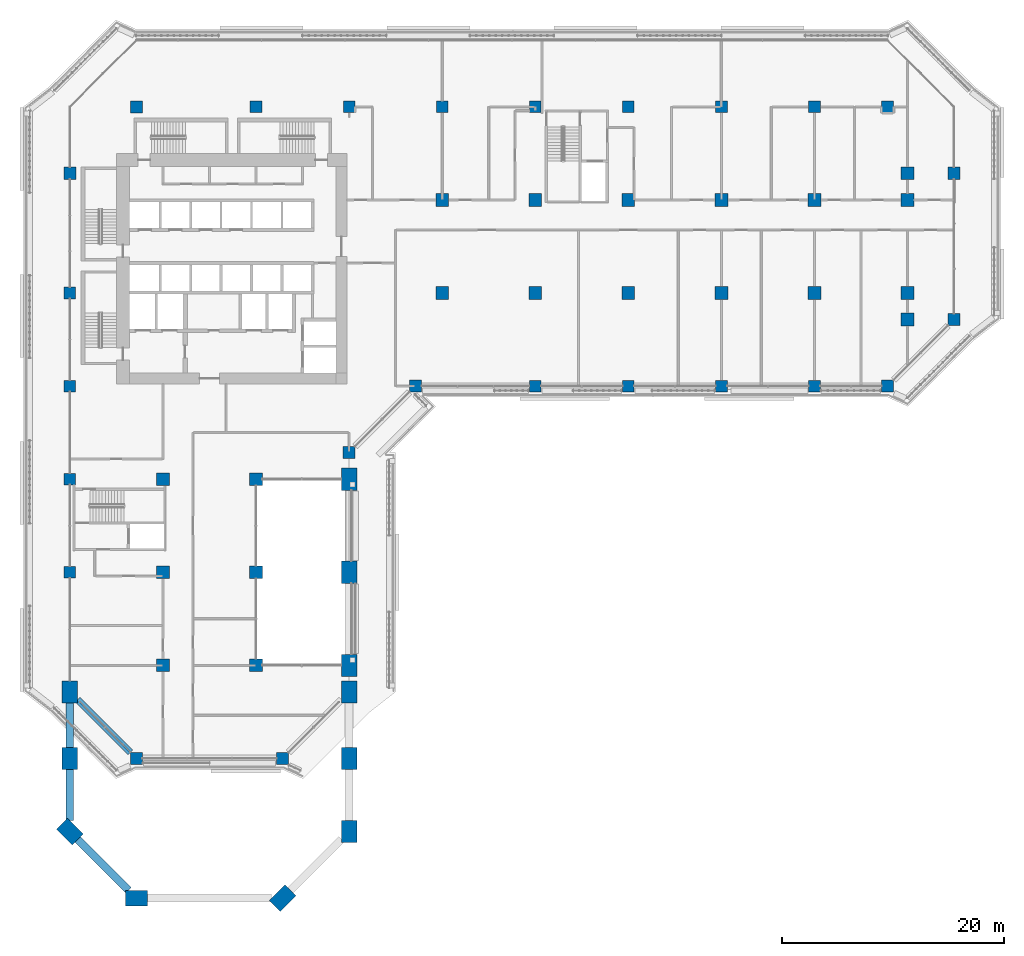
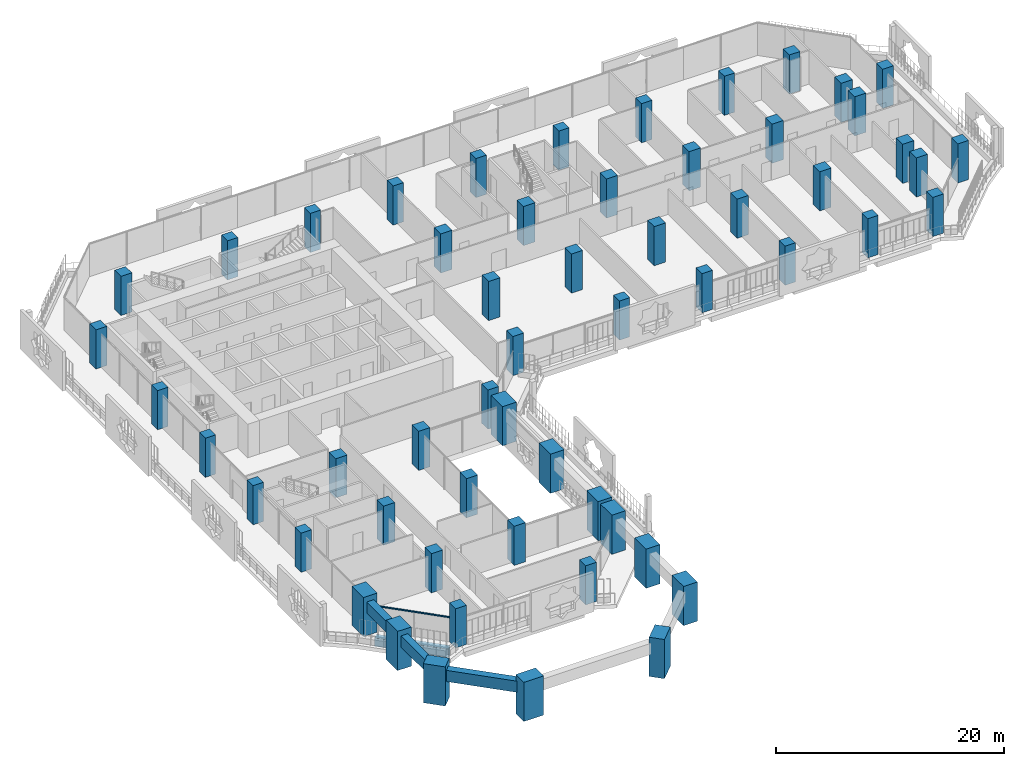
# One storey, part 1 of 27: 56 columns, 4 beams, 1 member, 1 element without a shape of its own.
"""IFC4 building model written with IfcOpenShell, lengths in metres."""

import ifcopenshell
import ifcopenshell.guid

model = None  # the IFC model being written
_history = None  # IfcOwnerHistory: only IFC2X3 demands one
_inside = {}  # id of a spatial element -> (the spatial element, [elements in it])
_under = {}  # id of a project, library or spatial element -> (it, [spatial elements below it])
_declared = {}  # id of a project -> (the project, [libraries it declares])
_typed = {}  # id of a type object -> (the type object, [elements of that type])
_made_of = {}  # id of a material, layer set ... -> (it, [elements and type objects made of it])


def new_model(schema):
    """Start an empty IFC model of exactly this schema.

    Asked for "IFC4X3", IfcOpenShell would pick the latest addendum, in which some entities
    have other attributes; the version numbers below select the first issue.
    IFC2X3 requires an IfcOwnerHistory on every rooted entity: one is made here for all.
    """
    global model, _history
    if schema == "IFC4X3":
        model = ifcopenshell.file(schema_version=(4, 3, 0, 0))
    else:
        model = ifcopenshell.file(schema=schema)
    _inside.clear()
    _under.clear()
    _declared.clear()
    _typed.clear()
    _made_of.clear()
    _history = None
    if model.schema == "IFC2X3":
        org = make("IfcOrganization", Name="unknown")
        user = make(
            "IfcPersonAndOrganization",
            ThePerson=make("IfcPerson", FamilyName="unknown"),
            TheOrganization=org,
        )
        app = make(
            "IfcApplication",
            ApplicationDeveloper=org,
            Version="unknown",
            ApplicationFullName="unknown",
            ApplicationIdentifier="unknown",
        )
        _history = make(
            "IfcOwnerHistory",
            OwningUser=user,
            OwningApplication=app,
            ChangeAction="ADDED",
            CreationDate=0,
        )
    return model


def make(cls, **values):
    """One entity of the class cls with the attributes given. An attribute that is None is left unset."""
    return model.create_entity(
        cls, **{name: value for name, value in values.items() if value is not None}
    )


def rooted(cls, **values):
    """An entity with a GlobalId (a new one), such as an element, a storey or a relation."""
    return make(cls, GlobalId=ifcopenshell.guid.new(), OwnerHistory=_history, **values)


def si_unit(unit_type, name, prefix=None):
    """IfcSIUnit, for example si_unit("LENGTHUNIT", "METRE", prefix="MILLI")."""
    return make("IfcSIUnit", UnitType=unit_type, Prefix=prefix, Name=name)


def assignment(units):
    """IfcUnitAssignment: the units of a project."""
    return None if units is None else make("IfcUnitAssignment", Units=units)


def point(xyz):
    """IfcCartesianPoint."""
    return None if xyz is None else make("IfcCartesianPoint", Coordinates=xyz)


def direction(xyz):
    """IfcDirection."""
    return None if xyz is None else make("IfcDirection", DirectionRatios=xyz)


def frame(location, z_axis=None, x_axis=None):
    """IfcAxis2Placement3D, a coordinate frame: its origin and axes. An axis left out is left unset."""
    return make(
        "IfcAxis2Placement3D",
        Location=point(location),
        Axis=direction(z_axis),
        RefDirection=direction(x_axis),
    )


def frame_2d(location, x_axis=None):
    """IfcAxis2Placement2D, a coordinate frame in the plane: its origin and x axis."""
    return make(
        "IfcAxis2Placement2D", Location=point(location), RefDirection=direction(x_axis)
    )


def origin():
    """The frame at (0, 0, 0) with its axes left unset."""
    return frame((0.0, 0.0, 0.0))


def origin_2d():
    """The frame at (0, 0) in the plane with its x axis left unset."""
    return frame_2d((0.0, 0.0))


def place(relative_to, where):
    """IfcLocalPlacement: puts the frame where relative to a parent placement (None: the world)."""
    return make(
        "IfcLocalPlacement", PlacementRelTo=relative_to, RelativePlacement=where
    )


def context(
    kind, dimensions, precision=None, world=None, true_north=None, identifier=None
):
    """IfcGeometricRepresentationContext, for example the 3D "Model" context."""
    return make(
        "IfcGeometricRepresentationContext",
        ContextIdentifier=identifier,
        ContextType=kind,
        CoordinateSpaceDimension=dimensions,
        Precision=precision,
        WorldCoordinateSystem=world,
        TrueNorth=true_north,
    )


def subcontext(parent, identifier, kind, view, scale=None):
    """IfcGeometricRepresentationSubContext, for example "Body" below "Model"."""
    return make(
        "IfcGeometricRepresentationSubContext",
        ContextIdentifier=identifier,
        ContextType=kind,
        ParentContext=parent,
        TargetScale=scale,
        TargetView=view,
    )


def project(units=None, contexts=None):
    """IfcProject with its units and contexts."""
    return rooted(
        "IfcProject",
        Name="project",
        RepresentationContexts=contexts,
        UnitsInContext=assignment(units),
    )


def spatial(cls, under=None, at=None, **own):
    """A site, building, storey or space (cls), placed at a placement, below another one or the project."""
    s = rooted(cls, ObjectPlacement=at, **own)
    if under is not None:
        _under.setdefault(under.id(), (under, []))[1].append(s)
    return s


def profile(cls, at=None, kind="AREA", **sizes):
    """A parametric profile (cls). Its sizes go by their IFC names, for example OverallWidth=200.0."""
    return make(cls, ProfileType=kind, Position=at, **sizes)


def rectangle(**sizes):
    """IfcRectangleProfileDef."""
    return profile("IfcRectangleProfileDef", **sizes)


def extrude(swept, where, along, depth):
    """IfcExtrudedAreaSolid: the profile swept, set in the frame where, extruded along a direction by depth."""
    return make(
        "IfcExtrudedAreaSolid",
        SweptArea=swept,
        Position=where,
        ExtrudedDirection=direction(along),
        Depth=depth,
    )


def shape(context_of_items, identifier, shape_type, items):
    """IfcShapeRepresentation: the items that make up one representation, for example the "Body"."""
    return make(
        "IfcShapeRepresentation",
        ContextOfItems=context_of_items,
        RepresentationIdentifier=identifier,
        RepresentationType=shape_type,
        Items=items,
    )


def material(Name=None, Category=None):
    """IfcMaterial."""
    return make("IfcMaterial", Name=Name, Category=Category)


def layer(
    of_material, thickness, ventilated=None, Name=None, Category=None, Priority=None
):
    """IfcMaterialLayer: one layer of a wall or slab, of a material (None: an air gap)."""
    return make(
        "IfcMaterialLayer",
        Material=of_material,
        LayerThickness=thickness,
        IsVentilated=ventilated,
        Name=Name,
        Category=Category,
        Priority=Priority,
    )


def layer_set(layers, Name=None):
    """IfcMaterialLayerSet."""
    return make("IfcMaterialLayerSet", MaterialLayers=layers, LayerSetName=Name)


def material_profile(
    of_material, cross_section, Name=None, Category=None, Priority=None
):
    """IfcMaterialProfile: a cross section and its material."""
    return make(
        "IfcMaterialProfile",
        Name=Name,
        Material=of_material,
        Profile=cross_section,
        Priority=Priority,
        Category=Category,
    )


def profile_set(profiles, Name=None, composite=None):
    """IfcMaterialProfileSet."""
    return make(
        "IfcMaterialProfileSet",
        Name=Name,
        MaterialProfiles=profiles,
        CompositeProfile=composite,
    )


def made_of(thing, what):
    """Note that an element or type object is made of a material, layer set ...; save() writes the relation."""
    if what is not None:
        _made_of.setdefault(what.id(), (what, []))[1].append(thing)
    return thing


def type_object(cls, material=None, **own):
    """A type object (cls), such as IfcWallType, which elements share."""
    return made_of(rooted(cls, **own), material)


def element(
    cls,
    number,
    at=None,
    inside=None,
    cuts=None,
    type_object=None,
    material=None,
    context=None,
    identifier="Body",
    shape_type=None,
    held_by="IfcProductDefinitionShape",
    body=None,
    shapes=None,
    **own,
):
    """One element of the class cls, such as IfcWall. Its Tag is "e" and its number.

    at: its placement. inside: the storey or other place that contains it. cuts: it is an
    opening in that element (IfcRelVoidsElement). A single representation is given by context,
    identifier, shape_type and body (its items); several are given by shapes. held_by: the class
    of the entity that holds the representations. save() writes the other relations.
    """
    e = rooted(cls, Tag="e%d" % number, ObjectPlacement=at, **own)
    if body is not None:
        shapes = [shape(context, identifier, shape_type, body)]
    if shapes is not None:
        e.Representation = make(held_by, Representations=shapes)
    if inside is not None:
        _inside.setdefault(inside.id(), (inside, []))[1].append(e)
    if cuts is not None:
        rooted(
            "IfcRelVoidsElement", RelatingBuildingElement=cuts, RelatedOpeningElement=e
        )
    if type_object is not None:
        _typed.setdefault(type_object.id(), (type_object, []))[1].append(e)
    return made_of(e, material)


def aggregate(whole, parts):
    """IfcRelAggregates: a whole, such as a stair, and the parts it consists of."""
    return rooted("IfcRelAggregates", RelatingObject=whole, RelatedObjects=parts)


def save(model, path):
    """Write the relations noted so far, then the file.

    IfcRelAggregates (storeys below a building ...), IfcRelContainedInSpatialStructure (elements
    in a storey), IfcRelDefinesByType, IfcRelAssociatesMaterial and IfcRelDeclares: one each for
    every whole, place, type object, material and project.
    """
    for whole, parts in _under.values():
        aggregate(whole, parts)
    for where, things in _inside.values():
        rooted(
            "IfcRelContainedInSpatialStructure",
            RelatedElements=things,
            RelatingStructure=where,
        )
    for kind, things in _typed.values():
        rooted("IfcRelDefinesByType", RelatedObjects=things, RelatingType=kind)
    for what, things in _made_of.values():
        rooted("IfcRelAssociatesMaterial", RelatedObjects=things, RelatingMaterial=what)
    for by, libraries in _declared.values():
        rooted("IfcRelDeclares", RelatingContext=by, RelatedDefinitions=libraries)
    model.write(path)


model = new_model("IFC4")

# Units and contexts
model_context = context("Model", 3, precision=1e-05, world=origin(), true_north=direction((0.0, 1.0)))
body_context = subcontext(model_context, "Body", "Model", "MODEL_VIEW")
ifc_project = project(units=[si_unit("LENGTHUNIT", "METRE"), si_unit("AREAUNIT", "SQUARE_METRE"), si_unit("VOLUMEUNIT", "CUBIC_METRE"), si_unit("PLANEANGLEUNIT", "RADIAN"), si_unit("MASSUNIT", "GRAM", prefix="KILO")], contexts=[model_context])

# Site, building, storey
site_placement = place(None, origin())
site = spatial("IfcSite", under=ifc_project, at=site_placement, CompositionType="ELEMENT")
building_placement = place(site_placement, origin())
building = spatial("IfcBuilding", under=site, at=building_placement, Name="Kawkab Arch Medical Tower", CompositionType="ELEMENT")
storey_placement = place(building_placement, frame((0.0, 0.0, 103.0)))
storey = spatial("IfcBuildingStorey", under=building, at=storey_placement, Name="L23", CompositionType="ELEMENT", Elevation=103.0)

# Columns
ifc_material_1 = material(Name="Concrete C55/67", Category="concrete")
ifc_material_profile_1 = material_profile(ifc_material_1, rectangle(XDim=1.050048828125, YDim=1.050048828125, at=origin_2d()), Name="RC 1050x1050")
ifc_profile_set_1 = profile_set([ifc_material_profile_1], Name="Concrete C55/67")
column_type_1 = type_object("IfcColumnType", Name="RC 1050x1050 column C55/67", PredefinedType="COLUMN", material=ifc_profile_set_1)
for number, where, z_axis, x_axis, name in (
    (1, (16.800048828125, 0.0, 0.0), (0.0, 0.0, 1.0), (1.0, 0.0, 0.0), "Column RC 1050x1050"),
    (2, (25.199951171875, 0.0, 0.0), (0.0, 0.0, 1.0), (1.0, 0.0, 0.0), "Column RC 1050x1050"),
    (3, (33.60009765625, 0.0, 0.0), (0.0, 0.0, 1.0), (1.0, 0.0, 0.0), "Column RC 1050x1050"),
    (4, (42.0, 0.0, 0.0), (0.0, 0.0, 1.0), (1.0, 0.0, 0.0), "Column RC 1050x1050"),
    (5, (50.39990234375, 0.0, 0.0), (0.0, 0.0, 1.0), (1.0, 0.0, 0.0), "Column RC 1050x1050"),
    (6, (58.800048828125, 0.0, 0.0), (0.0, 0.0, 1.0), (1.0, 0.0, 0.0), "Column RC 1050x1050"),
    (7, (67.199951171875, 0.0, 0.0), (0.0, 0.0, 1.0), (1.0, 0.0, 0.0), "Column RC 1050x1050"),
    (8, (0.0, -16.800048828125, 0.0), (0.0, 0.0, 1.0), (1.0, 0.0, 0.0), "Column RC 1050x1050"),
    (9, (0.0, -25.199951171875, 0.0), (0.0, 0.0, 1.0), (1.0, 0.0, 0.0), "Column RC 1050x1050"),
    (10, (42.0, -25.199951171875, 0.0), (0.0, 0.0, 1.0), (1.0, 0.0, 0.0), "Column RC 1050x1050"),
    (11, (50.39990234375, -25.199951171875, 0.0), (0.0, 0.0, 1.0), (1.0, 0.0, 0.0), "Column RC 1050x1050"),
    (12, (58.800048828125, -25.199951171875, 0.0), (0.0, 0.0, 1.0), (1.0, 0.0, 0.0), "Column RC 1050x1050"),
    (13, (67.199951171875, -25.199951171875, 0.0), (0.0, 0.0, 1.0), (1.0, 0.0, 0.0), "Column RC 1050x1050"),
    (14, (0.0, -33.60009765625, 0.0), (0.0, 0.0, 1.0), (1.0, 0.0, 0.0), "Column RC 1050x1050"),
    (15, (0.0, -42.0, 0.0), (0.0, 0.0, 1.0), (1.0, 0.0, 0.0), "Column RC 1050x1050"),
):
    element("IfcColumn", number, at=place(storey_placement, frame(where, z_axis=z_axis, x_axis=x_axis)), inside=storey, type_object=column_type_1, Name=name, PredefinedType="COLUMN", context=body_context, shape_type="SweptSolid", body=[
        extrude(rectangle(XDim=1.050048828125, YDim=1.050048828125, at=origin_2d()), origin(), (0.0, 0.0, 1.0), 4.199951171875),
    ])
ifc_material_2 = material(Name="Concrete C55/67", Category="concrete")
ifc_material_profile_2 = material_profile(ifc_material_2, rectangle(XDim=1.10009765625, YDim=1.10009765625, at=origin_2d()), Name="RC 1100x1100")
ifc_profile_set_2 = profile_set([ifc_material_profile_2], Name="Concrete C55/67")
column_type_2 = type_object("IfcColumnType", Name="RC 1100x1100 column C55/67", PredefinedType="COLUMN", material=ifc_profile_set_2)
for number, where, z_axis, x_axis, name in (
    (16, (6.0, 0.0, 0.0), (0.0, 0.0, 1.0), (1.0, 0.0, 0.0), "Column RC 1100x1100"),
    (17, (73.800048828125, 0.0, 0.0), (0.0, 0.0, 1.0), (1.0, 0.0, 0.0), "Column RC 1100x1100"),
    (18, (0.0, -6.0, 0.0), (0.0, 0.0, 1.0), (1.0, 0.0, 0.0), "Column RC 1100x1100"),
    (19, (79.800048828125, -6.0, 0.0), (0.0, 0.0, 1.0), (1.0, 0.0, 0.0), "Column RC 1100x1100"),
    (20, (79.800048828125, -19.199951171875, 0.0), (0.0, 0.0, 1.0), (1.0, 0.0, 0.0), "Column RC 1100x1100"),
    (21, (31.199951171875, -25.199951171875, 0.0), (0.0, 0.0, 1.0), (1.0, 0.0, 0.0), "Column RC 1100x1100"),
    (22, (73.800048828125, -25.199951171875, 0.0), (0.0, 0.0, 1.0), (1.0, 0.0, 0.0), "Column RC 1100x1100"),
    (23, (25.199951171875, -31.199951171875, 0.0), (0.0, 0.0, 1.0), (1.0, 0.0, 0.0), "Column RC 1100x1100"),
    (24, (6.0, -58.800048828125, 0.0), (0.0, 0.0, 1.0), (1.0, 0.0, 0.0), "Column RC 1100x1100"),
    (25, (19.199951171875, -58.800048828125, 0.0), (0.0, 0.0, 1.0), (1.0, 0.0, 0.0), "Column RC 1100x1100"),
):
    element("IfcColumn", number, at=place(storey_placement, frame(where, z_axis=z_axis, x_axis=x_axis)), inside=storey, type_object=column_type_2, Name=name, PredefinedType="COLUMN", context=body_context, shape_type="SweptSolid", body=[
        extrude(rectangle(XDim=1.10009765625, YDim=1.10009765625, at=origin_2d()), origin(), (0.0, 0.0, 1.0), 4.199951171875),
    ])
ifc_material_3 = material(Name="Concrete C55/67", Category="concrete")
ifc_material_profile_3 = material_profile(ifc_material_3, rectangle(XDim=1.14990234375, YDim=1.14990234375, at=origin_2d()), Name="RC 1150x1150")
ifc_profile_set_3 = profile_set([ifc_material_profile_3], Name="Concrete C55/67")
column_type_3 = type_object("IfcColumnType", Name="RC 1150x1150 column C55/67", PredefinedType="COLUMN", material=ifc_profile_set_3)
for number, where, z_axis, x_axis, name in (
    (26, (75.60009765625, -6.0, 0.0), (0.0, 0.0, 1.0), (1.0, 0.0, 0.0), "Column RC 1150x1150"),
    (27, (33.60009765625, -8.39990234375, 0.0), (0.0, 0.0, 1.0), (1.0, 0.0, 0.0), "Column RC 1150x1150"),
    (28, (42.0, -8.39990234375, 0.0), (0.0, 0.0, 1.0), (1.0, 0.0, 0.0), "Column RC 1150x1150"),
    (29, (50.39990234375, -8.39990234375, 0.0), (0.0, 0.0, 1.0), (1.0, 0.0, 0.0), "Column RC 1150x1150"),
    (30, (58.800048828125, -8.39990234375, 0.0), (0.0, 0.0, 1.0), (1.0, 0.0, 0.0), "Column RC 1150x1150"),
    (31, (67.199951171875, -8.39990234375, 0.0), (0.0, 0.0, 1.0), (1.0, 0.0, 0.0), "Column RC 1150x1150"),
    (32, (75.60009765625, -8.39990234375, 0.0), (0.0, 0.0, 1.0), (1.0, 0.0, 0.0), "Column RC 1150x1150"),
    (33, (33.60009765625, -16.800048828125, 0.0), (0.0, 0.0, 1.0), (1.0, 0.0, 0.0), "Column RC 1150x1150"),
    (34, (42.0, -16.800048828125, 0.0), (0.0, 0.0, 1.0), (1.0, 0.0, 0.0), "Column RC 1150x1150"),
    (35, (50.39990234375, -16.800048828125, 0.0), (0.0, 0.0, 1.0), (1.0, 0.0, 0.0), "Column RC 1150x1150"),
    (36, (58.800048828125, -16.800048828125, 0.0), (0.0, 0.0, 1.0), (1.0, 0.0, 0.0), "Column RC 1150x1150"),
    (37, (67.199951171875, -16.800048828125, 0.0), (0.0, 0.0, 1.0), (1.0, 0.0, 0.0), "Column RC 1150x1150"),
    (38, (75.60009765625, -16.800048828125, 0.0), (0.0, 0.0, 1.0), (1.0, 0.0, 0.0), "Column RC 1150x1150"),
    (39, (75.60009765625, -19.199951171875, 0.0), (0.0, 0.0, 1.0), (1.0, 0.0, 0.0), "Column RC 1150x1150"),
    (40, (8.39990234375, -33.60009765625, 0.0), (0.0, 0.0, 1.0), (1.0, 0.0, 0.0), "Column RC 1150x1150"),
    (41, (16.800048828125, -33.60009765625, 0.0), (0.0, 0.0, 1.0), (1.0, 0.0, 0.0), "Column RC 1150x1150"),
    (42, (8.39990234375, -42.0, 0.0), (0.0, 0.0, 1.0), (1.0, 0.0, 0.0), "Column RC 1150x1150"),
    (43, (16.800048828125, -42.0, 0.0), (0.0, 0.0, 1.0), (1.0, 0.0, 0.0), "Column RC 1150x1150"),
    (44, (8.39990234375, -50.39990234375, 0.0), (0.0, 0.0, 1.0), (1.0, 0.0, 0.0), "Column RC 1150x1150"),
    (45, (16.800048828125, -50.39990234375, 0.0), (0.0, 0.0, 1.0), (1.0, 0.0, 0.0), "Column RC 1150x1150"),
):
    element("IfcColumn", number, at=place(storey_placement, frame(where, z_axis=z_axis, x_axis=x_axis)), inside=storey, type_object=column_type_3, Name=name, PredefinedType="COLUMN", context=body_context, shape_type="SweptSolid", body=[
        extrude(rectangle(XDim=1.14990234375, YDim=1.14990234375, at=origin_2d()), origin(), (0.0, 0.0, 1.0), 4.199951171875),
    ])
ifc_material_4 = material(Name="Concrete C55/67", Category="concrete")
ifc_material_profile_4 = material_profile(ifc_material_4, rectangle(XDim=2.0, YDim=1.39990234375, at=origin_2d()), Name="RC 2000x1400")
ifc_profile_set_4 = profile_set([ifc_material_profile_4], Name="Concrete C55/67")
column_type_4 = type_object("IfcColumnType", Name="RC 2000x1400 column C55/67", PredefinedType="COLUMN", material=ifc_profile_set_4)
for number, where, z_axis, x_axis, name in (
    (46, (25.199951171875, -42.0, 0.0), (0.0, 0.0, 1.0), (0.0, -1.0, 0.0), "Column RC 2000x1400"),
    (47, (0.0, -52.800048828125, 0.0), (0.0, 0.0, 1.0), (0.0, 1.0, 0.0), "Column RC 2000x1400"),
    (48, (25.199951171875, -52.800048828125, 0.0), (0.0, 0.0, 1.0), (0.0, -1.0, 0.0), "Column RC 2000x1400"),
    (49, (25.199951171875, -58.800048828125, 0.0), (0.0, 0.0, 1.0), (0.0, -1.0, 0.0), "Column RC 2000x1400"),
    (50, (25.199951171875, -65.39990234375, 0.0), (0.0, 0.0, 1.0), (0.0, -1.0, 0.0), "Column RC 2000x1400"),
    (51, (19.199951171875, -71.39990234375, 0.0), (0.0, 0.0, 1.0), (-0.707106781187, -0.707106781187, 0.0), "Column RC 2000x1400"),
    (52, (6.0, -71.39990234375, 0.0), (0.0, 0.0, 1.0), (-1.0, 0.0, 0.0), "Column RC 2000x1400"),
    (53, (0.0, -65.39990234375, 0.0), (0.0, 0.0, 1.0), (-0.707106781187, 0.707106781187, 0.0), "Column RC 2000x1400"),
    (54, (0.0, -58.800048828125, 0.0), (0.0, 0.0, 1.0), (0.0, 1.0, 0.0), "Column RC 2000x1400"),
    (55, (25.199951171875, -33.60009765625, 0.0), (0.0, 0.0, 1.0), (0.0, -1.0, 0.0), "Column RC 2000x1400"),
    (56, (25.199951171875, -50.39990234375, 0.0), (0.0, 0.0, 1.0), (0.0, -1.0, 0.0), "Column RC 2000x1400"),
):
    element("IfcColumn", number, at=place(storey_placement, frame(where, z_axis=z_axis, x_axis=x_axis)), inside=storey, type_object=column_type_4, Name=name, PredefinedType="COLUMN", context=body_context, shape_type="SweptSolid", body=[
        extrude(rectangle(XDim=2.0, YDim=1.39990234375, at=origin_2d()), origin(), (0.0, 0.0, 1.0), 4.199951171875),
    ])

# Curtain wall, member
ifc_material_5 = material(Name="Bronze anodised aluminium curtain wall frame", Category="aluminium")
ifc_layer = layer(ifc_material_5, 0.159912109375)
ifc_layer_set = layer_set([ifc_layer], Name="Bronze anodised aluminium curtain wall frame")
curtain_wall_type = type_object("IfcCurtainWallType", Name="CW2 chamfer curtain wall", PredefinedType="NOTDEFINED", material=ifc_layer_set)
curtain_wall_placement = place(storey_placement, origin())
curtain_wall = element("IfcCurtainWall", 57, at=curtain_wall_placement, inside=storey, type_object=curtain_wall_type, Name="CW2 Chamfer curtain wall R14", PredefinedType="NOTDEFINED")
ifc_material_6 = material(Name="Bronze anodised aluminium curtain wall frame", Category="aluminium")
ifc_material_profile_5 = material_profile(ifc_material_6, rectangle(XDim=0.06005859375, YDim=0.139892578125, at=origin_2d()), Name="AL 60x140")
ifc_profile_set_5 = profile_set([ifc_material_profile_5], Name="Bronze anodised aluminium curtain wall frame")
member_type = type_object("IfcMemberType", Name="CW2 transom 140 x 60", PredefinedType="USERDEFINED", material=ifc_profile_set_5)
member_placement = place(storey_placement, frame((0.930419921875, -53.730224609375, 2.6298828125), z_axis=(0.707087682839, -0.707125879019, 0.0), x_axis=(0.707125879019, 0.707087682839, 0.0)))
member = element("IfcMember", 58, at=member_placement, type_object=member_type, Name="CW2 transom 1", ObjectType="TRANSOM", PredefinedType="USERDEFINED", context=body_context, shape_type="SweptSolid", body=[
    extrude(rectangle(XDim=0.06005859375, YDim=0.139892578125, at=origin_2d()), origin(), (0.0, 0.0, 1.0), 6.391845703125),
])
aggregate(curtain_wall, [member])

# Beams
ifc_material_7 = material(Name="Concrete C55/67", Category="concrete")
ifc_material_profile_6 = material_profile(ifc_material_7, rectangle(XDim=0.60009765625, YDim=0.89990234375, at=origin_2d()), Name="RC 600x900")
ifc_profile_set_6 = profile_set([ifc_material_profile_6], Name="Concrete C55/67")
beam_type_1 = type_object("IfcBeamType", Name="RC 600x900 beam C55/67", PredefinedType="BEAM", material=ifc_profile_set_6)
beam_1_placement = place(storey_placement, frame((5.449951171875, -58.25, -1.050048828125), z_axis=(-0.707106781187, 0.707106781187, 0.0), x_axis=(-0.707106781187, -0.707106781187, 0.0)))
element("IfcBeam", 59, at=beam_1_placement, inside=storey, type_object=beam_type_1, Name="Overhang edge beam L23-10", PredefinedType="BEAM", context=body_context, shape_type="SweptSolid", body=[
    extrude(rectangle(XDim=0.60009765625, YDim=0.89990234375, at=origin_2d()), origin(), (0.0, 0.0, 1.0), 6.717529296875),
])
ifc_material_8 = material(Name="Concrete C55/67", Category="concrete")
ifc_material_profile_7 = material_profile(ifc_material_8, rectangle(XDim=0.699951171875, YDim=1.199951171875, at=origin_2d()), Name="RC 700x1200")
ifc_profile_set_7 = profile_set([ifc_material_profile_7], Name="Concrete C55/67")
beam_type_2 = type_object("IfcBeamType", Name="RC 700x1200 beam C55/67", PredefinedType="BEAM", material=ifc_profile_set_7)
beam_2_placement = place(storey_placement, frame((5.300048828125, -70.699951171875, 3.0), z_axis=(-0.707125574473, 0.707087987401, 0.0), x_axis=(-0.707087987401, -0.707125574473, 0.0)))
element("IfcBeam", 60, at=beam_2_placement, inside=storey, type_object=beam_type_2, Name="Terrace frame beam TF-L22-1-L24-05", PredefinedType="BEAM", context=body_context, shape_type="SweptSolid", body=[
    extrude(rectangle(XDim=0.699951171875, YDim=1.199951171875, at=origin_2d()), origin(), (0.0, 0.0, 1.0), 6.495361328125),
])
beam_3_placement = place(storey_placement, frame((0.0, -64.41015625, 3.0), z_axis=(0.0, 1.0, 0.0), x_axis=(-1.0, 0.0, 0.0)))
element("IfcBeam", 61, at=beam_3_placement, inside=storey, type_object=beam_type_2, Name="Terrace frame beam TF-L22-1-L24-06", PredefinedType="BEAM", context=body_context, shape_type="SweptSolid", body=[
    extrude(rectangle(XDim=0.699951171875, YDim=1.199951171875, at=origin_2d()), origin(), (0.0, 0.0, 1.0), 4.610107421875),
])
beam_4_placement = place(storey_placement, frame((0.0, -57.800048828125, 3.0), z_axis=(0.0, 1.0, 0.0), x_axis=(-1.0, 0.0, 0.0)))
element("IfcBeam", 62, at=beam_4_placement, inside=storey, type_object=beam_type_2, Name="Terrace frame beam TF-L22-1-L24-07", PredefinedType="BEAM", context=body_context, shape_type="SweptSolid", body=[
    extrude(rectangle(XDim=0.699951171875, YDim=1.199951171875, at=origin_2d()), origin(), (0.0, 0.0, 1.0), 4.0),
])

save(model, "model.ifc")
